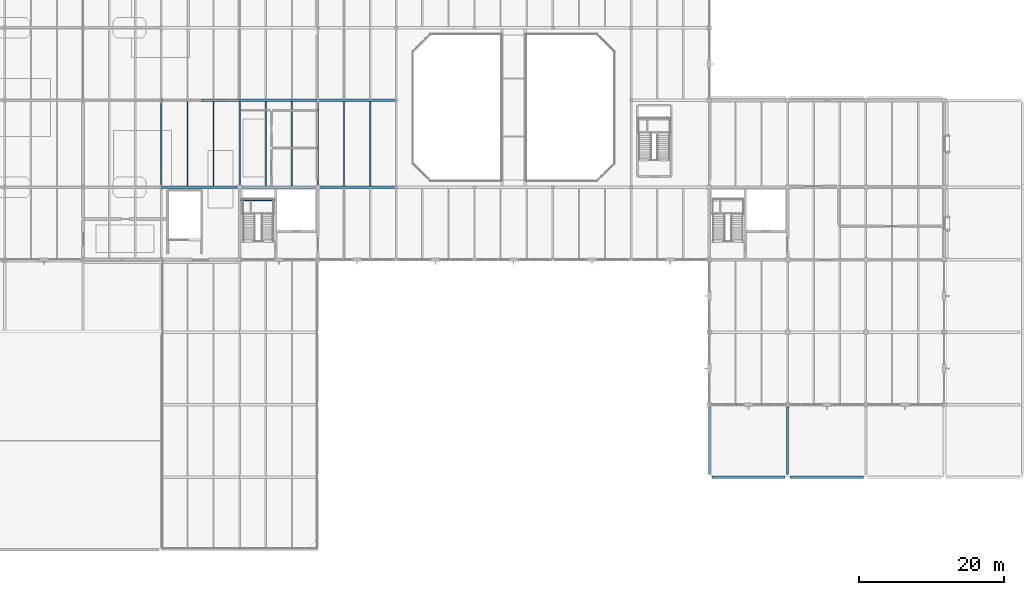
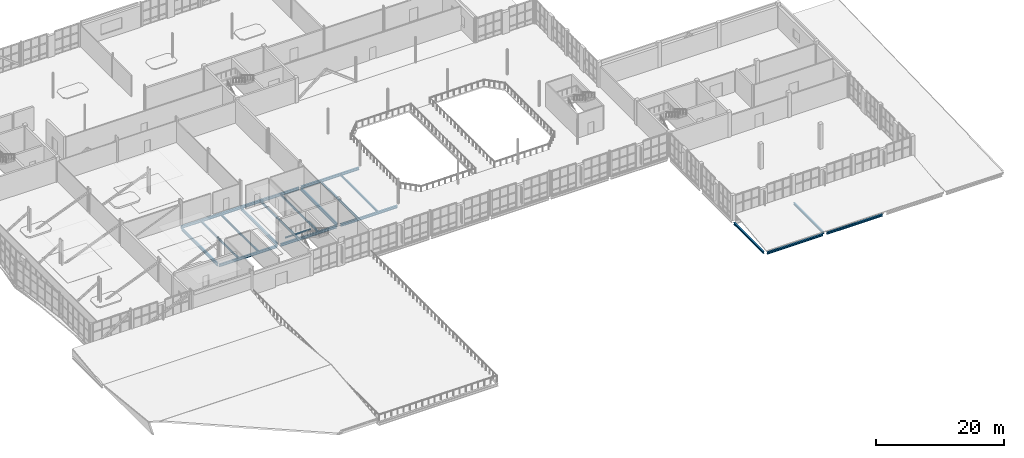
# One storey, part 24 of 100: 20 beams.
"""IFC4 building model written with IfcOpenShell, lengths in metres."""

from ifc_helpers import new_model, si_unit, direction, frame, origin, origin_2d, place, context, subcontext, project, spatial, i_section, extrude, material, material_profile, profile_set, type_object, element, save


model = new_model("IFC4")

# Units and contexts
model_context = context("Model", 3, precision=1e-05, world=origin(), true_north=direction((0.0, 1.0)))
body_context = subcontext(model_context, "Body", "Model", "MODEL_VIEW")
ifc_project = project(units=[si_unit("LENGTHUNIT", "METRE"), si_unit("AREAUNIT", "SQUARE_METRE"), si_unit("VOLUMEUNIT", "CUBIC_METRE"), si_unit("PLANEANGLEUNIT", "RADIAN"), si_unit("MASSUNIT", "GRAM", prefix="KILO")], contexts=[model_context])

# Site, building, storey
site_placement = place(None, origin())
site = spatial("IfcSite", under=ifc_project, at=site_placement, CompositionType="ELEMENT")
building_placement = place(site_placement, origin())
building = spatial("IfcBuilding", under=site, at=building_placement, Name="Tasgan Crest Museum", CompositionType="ELEMENT")
storey_placement = place(building_placement, frame((0.0, 0.0, 9.60009765625)))
storey = spatial("IfcBuildingStorey", under=building, at=storey_placement, Name="L02", CompositionType="ELEMENT", Elevation=9.60009765625)

# Beams
ifc_material_1 = material(Name="Steel S355J2", Category="steel")
ifc_material_profile_1 = material_profile(ifc_material_1, i_section(OverallWidth=0.300048828125, OverallDepth=0.389892578125, WebThickness=0.010986328125, FlangeThickness=0.01904296875, FilletRadius=0.027099609375, at=origin_2d()), Name="HEA 400")
ifc_profile_set_1 = profile_set([ifc_material_profile_1], Name="Steel S355J2")
beam_type_1 = type_object("IfcBeamType", Name="BM-G-HEA400", PredefinedType="BEAM", material=ifc_profile_set_1)
beam_1_placement = place(storey_placement, frame((108.345947265625, 10.0, -0.47509765625), z_axis=(1.0, 0.0, 0.0), x_axis=(0.0, 1.0, 0.0)))
element("IfcBeam", 1, at=beam_1_placement, inside=storey, type_object=beam_type_1, Name="East lab south step roof girder B 108.0", PredefinedType="BEAM", context=body_context, shape_type="SweptSolid", body=[
    extrude(i_section(OverallWidth=0.300048828125, OverallDepth=0.389892578125, WebThickness=0.010986328125, FlangeThickness=0.01904296875, FilletRadius=0.027099609375, at=origin_2d()), origin(), (0.0, 0.0, 1.0), 10.108154296875),
])
beam_2_placement = place(storey_placement, frame((119.14599609375, 10.0, -0.47509765625), z_axis=(1.0, 0.0, 0.0), x_axis=(0.0, 1.0, 0.0)))
element("IfcBeam", 2, at=beam_2_placement, inside=storey, type_object=beam_type_1, Name="East lab south step roof girder B 118.8", PredefinedType="BEAM", context=body_context, shape_type="SweptSolid", body=[
    extrude(i_section(OverallWidth=0.300048828125, OverallDepth=0.389892578125, WebThickness=0.010986328125, FlangeThickness=0.01904296875, FilletRadius=0.027099609375, at=origin_2d()), origin(), (0.0, 0.0, 1.0), 10.10791015625),
])
for number, where, z_axis, x_axis, name in (
    (3, (108.0, 10.344970703125, -0.47509765625), (0.0, 1.0, 0.0), (-1.0, 0.0, 0.0), "East lab south step roof beam 11 10.0"),
    (4, (118.800048828125, 10.344970703125, -0.47509765625), (0.0, 1.0, 0.0), (-1.0, 0.0, 0.0), "East lab south step roof beam 12 10.0"),
):
    element("IfcBeam", number, at=place(storey_placement, frame(where, z_axis=z_axis, x_axis=x_axis)), inside=storey, type_object=beam_type_1, Name=name, PredefinedType="BEAM", context=body_context, shape_type="SweptSolid", body=[
        extrude(i_section(OverallWidth=0.300048828125, OverallDepth=0.389892578125, WebThickness=0.010986328125, FlangeThickness=0.01904296875, FilletRadius=0.027099609375, at=origin_2d()), origin(), (0.0, 0.0, 1.0), 9.31005859375),
    ])
ifc_material_2 = material(Name="Steel S355J2", Category="steel")
ifc_material_profile_2 = material_profile(ifc_material_2, i_section(OverallWidth=0.300048828125, OverallDepth=0.489990234375, WebThickness=0.011962890625, FlangeThickness=0.02294921875, FilletRadius=0.027099609375, at=origin_2d()), Name="HEA 500")
ifc_profile_set_2 = profile_set([ifc_material_profile_2], Name="Steel S355J2")
beam_type_2 = type_object("IfcBeamType", Name="BM-G-HEA500", PredefinedType="BEAM", material=ifc_profile_set_2)
beam_3_placement = place(storey_placement, frame((32.406494140625, 50.0, -0.505126953125), z_axis=(1.0, 0.0, 0.0), x_axis=(0.0, 1.0, 0.0)))
element("IfcBeam", 5, at=beam_3_placement, inside=storey, type_object=beam_type_2, Name="Girder L02 F 32.4-43.2", PredefinedType="BEAM", context=body_context, shape_type="SweptSolid", body=[
    extrude(i_section(OverallWidth=0.300048828125, OverallDepth=0.489990234375, WebThickness=0.011962890625, FlangeThickness=0.02294921875, FilletRadius=0.027099609375, at=origin_2d()), origin(), (0.0, 0.0, 1.0), 10.447509765625),
])
beam_4_placement = place(storey_placement, frame((43.5458984375, 50.0, -0.505126953125), z_axis=(1.0, 0.0, 0.0), x_axis=(0.0, 1.0, 0.0)))
element("IfcBeam", 6, at=beam_4_placement, inside=storey, type_object=beam_type_2, Name="Girder L02 F 43.2-54.0", PredefinedType="BEAM", context=body_context, shape_type="SweptSolid", body=[
    extrude(i_section(OverallWidth=0.300048828125, OverallDepth=0.489990234375, WebThickness=0.011962890625, FlangeThickness=0.02294921875, FilletRadius=0.027099609375, at=origin_2d()), origin(), (0.0, 0.0, 1.0), 10.108154296875),
])
beam_5_placement = place(storey_placement, frame((54.345947265625, 50.0, -0.485107421875), z_axis=(1.0, 0.0, 0.0), x_axis=(0.0, 1.0, 0.0)))
element("IfcBeam", 7, at=beam_5_placement, inside=storey, type_object=beam_type_2, Name="Girder L02 F 54.0-64.8", PredefinedType="BEAM", context=body_context, shape_type="SweptSolid", body=[
    extrude(i_section(OverallWidth=0.300048828125, OverallDepth=0.489990234375, WebThickness=0.011962890625, FlangeThickness=0.02294921875, FilletRadius=0.027099609375, at=origin_2d()), origin(), (0.0, 0.0, 1.0), 10.2802734375),
])
beam_6_placement = place(storey_placement, frame((32.406494140625, 62.0, -0.505126953125), z_axis=(1.0, 0.0, 0.0), x_axis=(0.0, 1.0, 0.0)))
element("IfcBeam", 8, at=beam_6_placement, inside=storey, type_object=beam_type_2, Name="Girder L02 G 32.4-43.2", PredefinedType="BEAM", context=body_context, shape_type="SweptSolid", body=[
    extrude(i_section(OverallWidth=0.300048828125, OverallDepth=0.489990234375, WebThickness=0.011962890625, FlangeThickness=0.02294921875, FilletRadius=0.027099609375, at=origin_2d()), origin(), (0.0, 0.0, 1.0), 10.788330078125),
])
beam_7_placement = place(storey_placement, frame((43.205322265625, 62.0, -0.505126953125), z_axis=(1.0, 0.0, 0.0), x_axis=(0.0, 1.0, 0.0)))
element("IfcBeam", 9, at=beam_7_placement, inside=storey, type_object=beam_type_2, Name="Girder L02 G 43.2-54.0", PredefinedType="BEAM", context=body_context, shape_type="SweptSolid", body=[
    extrude(i_section(OverallWidth=0.300048828125, OverallDepth=0.489990234375, WebThickness=0.011962890625, FlangeThickness=0.02294921875, FilletRadius=0.027099609375, at=origin_2d()), origin(), (0.0, 0.0, 1.0), 10.620849609375),
])
beam_8_placement = place(storey_placement, frame((54.173828125, 62.0, -0.485107421875), z_axis=(1.0, 0.0, 0.0), x_axis=(0.0, 1.0, 0.0)))
element("IfcBeam", 10, at=beam_8_placement, inside=storey, type_object=beam_type_2, Name="Girder L02 G 54.0-64.8", PredefinedType="BEAM", context=body_context, shape_type="SweptSolid", body=[
    extrude(i_section(OverallWidth=0.300048828125, OverallDepth=0.489990234375, WebThickness=0.011962890625, FlangeThickness=0.02294921875, FilletRadius=0.027099609375, at=origin_2d()), origin(), (0.0, 0.0, 1.0), 10.452392578125),
])
ifc_material_3 = material(Name="Steel S355J2", Category="steel")
ifc_material_profile_3 = material_profile(ifc_material_3, i_section(OverallWidth=0.219970703125, OverallDepth=0.60009765625, WebThickness=0.011962890625, FlangeThickness=0.01904296875, FilletRadius=0.02392578125, at=origin_2d()), Name="IPE 600")
ifc_profile_set_3 = profile_set([ifc_material_profile_3], Name="Steel S355J2")
beam_type_3 = type_object("IfcBeamType", Name="BM-G-IPE600", PredefinedType="BEAM", material=ifc_profile_set_3)
beam_9_placement = place(storey_placement, frame((32.39990234375, 50.344970703125, -0.56005859375), z_axis=(0.0, 1.0, 0.0), x_axis=(-1.0, 0.0, 0.0)))
element("IfcBeam", 11, at=beam_9_placement, inside=storey, type_object=beam_type_3, Name="Beam L02 4 50.0-62.0", PredefinedType="BEAM", context=body_context, shape_type="SweptSolid", body=[
    extrude(i_section(OverallWidth=0.219970703125, OverallDepth=0.60009765625, WebThickness=0.011962890625, FlangeThickness=0.01904296875, FilletRadius=0.02392578125, at=origin_2d()), origin(), (0.0, 0.0, 1.0), 11.31005859375),
])
beam_10_placement = place(storey_placement, frame((43.199951171875, 50.344970703125, -0.56005859375), z_axis=(0.0, 1.0, 0.0), x_axis=(-1.0, 0.0, 0.0)))
element("IfcBeam", 12, at=beam_10_placement, inside=storey, type_object=beam_type_3, Name="Beam L02 5 50.0-62.0", PredefinedType="BEAM", context=body_context, shape_type="SweptSolid", body=[
    extrude(i_section(OverallWidth=0.219970703125, OverallDepth=0.60009765625, WebThickness=0.011962890625, FlangeThickness=0.01904296875, FilletRadius=0.02392578125, at=origin_2d()), origin(), (0.0, 0.0, 1.0), 11.409912109375),
])
beam_11_placement = place(storey_placement, frame((54.0, 50.344970703125, -0.56005859375), z_axis=(0.0, 1.0, 0.0), x_axis=(-1.0, 0.0, 0.0)))
element("IfcBeam", 13, at=beam_11_placement, inside=storey, type_object=beam_type_3, Name="Beam L02 6 50.0-62.0", PredefinedType="BEAM", context=body_context, shape_type="SweptSolid", body=[
    extrude(i_section(OverallWidth=0.219970703125, OverallDepth=0.60009765625, WebThickness=0.011962890625, FlangeThickness=0.01904296875, FilletRadius=0.02392578125, at=origin_2d()), origin(), (0.0, 0.0, 1.0), 11.482177734375),
])
ifc_material_4 = material(Name="Steel S355J2", Category="steel")
ifc_material_profile_4 = material_profile(ifc_material_4, i_section(OverallWidth=0.179931640625, OverallDepth=0.39990234375, WebThickness=0.008544921875, FlangeThickness=0.013427734375, FilletRadius=0.02099609375, at=origin_2d()), Name="IPE 400")
ifc_profile_set_4 = profile_set([ifc_material_profile_4], Name="Steel S355J2")
beam_type_4 = type_object("IfcBeamType", Name="BM-J-IPE400", PredefinedType="JOIST", material=ifc_profile_set_4)
for number, where, z_axis, x_axis, name in (
    (14, (36.0, 50.14501953125, -0.460205078125), (0.0, 1.0, 0.0), (-1.0, 0.0, 0.0), "Secondary joist L02 X=36.0 Y=50.0-62.0"),
    (15, (39.60009765625, 50.14501953125, -0.460205078125), (0.0, 1.0, 0.0), (-1.0, 0.0, 0.0), "Secondary joist L02 X=39.6 Y=50.0-62.0"),
    (16, (46.800048828125, 50.14501953125, -0.460205078125), (0.0, 1.0, 0.0), (-1.0, 0.0, 0.0), "Secondary joist L02 X=46.8 Y=50.0-62.0"),
    (17, (50.39990234375, 50.14501953125, -0.460205078125), (0.0, 1.0, 0.0), (-1.0, 0.0, 0.0), "Secondary joist L02 X=50.4 Y=50.0-62.0"),
    (18, (57.60009765625, 50.14501953125, -0.440185546875), (0.0, 1.0, 0.0), (-1.0, 0.0, 0.0), "Secondary joist L02 X=57.6 Y=50.0-62.0"),
    (19, (61.199951171875, 50.14501953125, -0.440185546875), (0.0, 1.0, 0.0), (-1.0, 0.0, 0.0), "Secondary joist L02 X=61.2 Y=50.0-62.0"),
):
    element("IfcBeam", number, at=place(storey_placement, frame(where, z_axis=z_axis, x_axis=x_axis)), inside=storey, type_object=beam_type_4, Name=name, PredefinedType="JOIST", context=body_context, shape_type="SweptSolid", body=[
        extrude(i_section(OverallWidth=0.179931640625, OverallDepth=0.39990234375, WebThickness=0.008544921875, FlangeThickness=0.013427734375, FilletRadius=0.02099609375, at=origin_2d()), origin(), (0.0, 0.0, 1.0), 11.7099609375),
    ])
ifc_material_5 = material(Name="Steel S355J2", Category="steel")
ifc_material_profile_5 = material_profile(ifc_material_5, i_section(OverallWidth=0.135009765625, OverallDepth=0.27001953125, WebThickness=0.006591796875, FlangeThickness=0.01025390625, FilletRadius=0.014892578125, at=origin_2d()), Name="IPE 270")
ifc_profile_set_5 = profile_set([ifc_material_profile_5], Name="Steel S355J2")
beam_type_5 = type_object("IfcBeamType", Name="BM-LAND-IPE270", PredefinedType="BEAM", material=ifc_profile_set_5)
beam_12_placement = place(storey_placement, frame((43.330078125, 48.205078125, 2.06494140625), z_axis=(1.0, 0.0, 0.0), x_axis=(0.0, 1.0, 0.0)))
element("IfcBeam", 20, at=beam_12_placement, inside=storey, type_object=beam_type_5, Name="Stair half-landing beam ST-SW-L02 T1B", PredefinedType="BEAM", context=body_context, shape_type="SweptSolid", body=[
    extrude(i_section(OverallWidth=0.135009765625, OverallDepth=0.27001953125, WebThickness=0.006591796875, FlangeThickness=0.01025390625, FilletRadius=0.014892578125, at=origin_2d()), origin(), (0.0, 0.0, 1.0), 4.68994140625),
])

save(model, "model.ifc")
